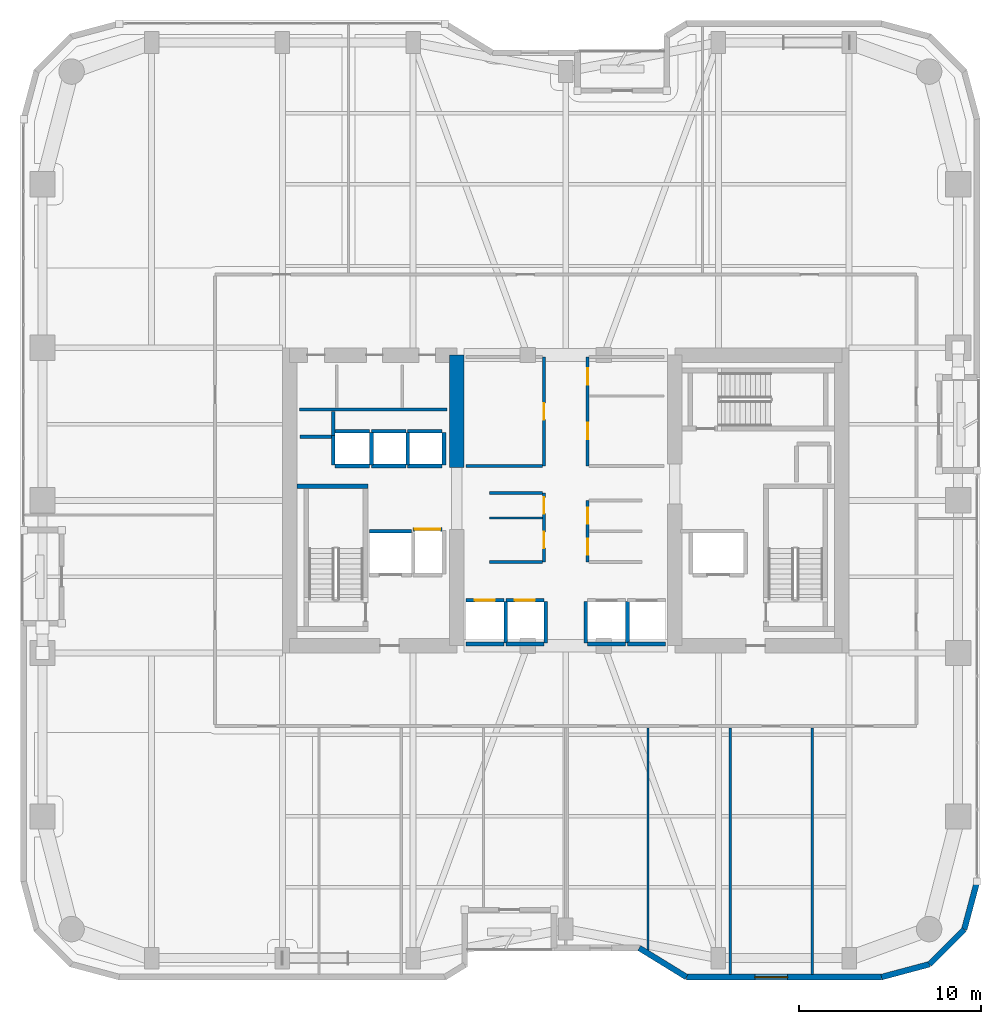
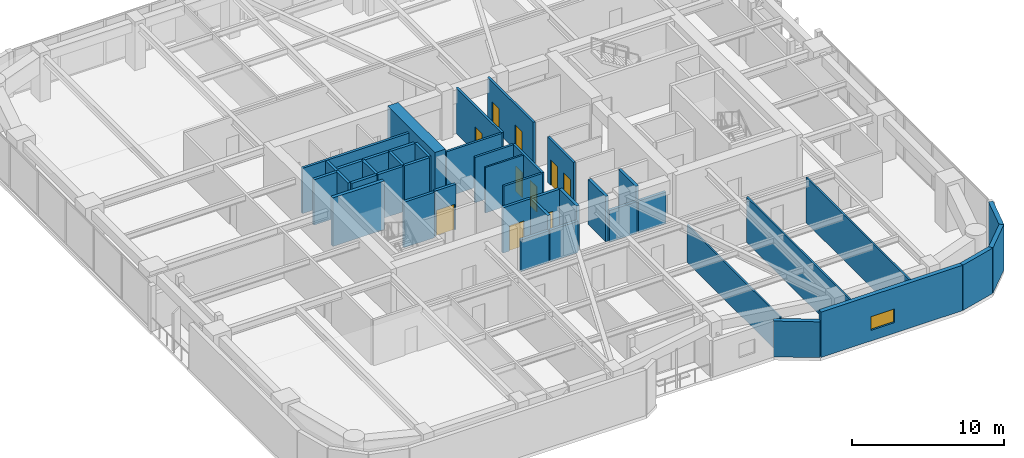
# One storey, part 19 of 24: 43 walls, 10 doors, 1 window, 11 openings.
"""IFC4 building model written with IfcOpenShell, lengths in metres."""

from ifc_helpers import new_model, si_unit, direction, frame, frame_2d, origin, place, context, subcontext, project, spatial, rectangle, extrude, material, layer, layer_set, type_object, element, fill, save


model = new_model("IFC4")

# Units and contexts
model_context = context("Model", 3, precision=1e-05, world=origin(), true_north=direction((0.0, 1.0)))
body_context = subcontext(model_context, "Body", "Model", "MODEL_VIEW")
ifc_project = project(units=[si_unit("LENGTHUNIT", "METRE"), si_unit("AREAUNIT", "SQUARE_METRE"), si_unit("VOLUMEUNIT", "CUBIC_METRE"), si_unit("PLANEANGLEUNIT", "RADIAN"), si_unit("MASSUNIT", "GRAM", prefix="KILO")], contexts=[model_context])

# Site, building, storey
site_placement = place(None, origin())
site = spatial("IfcSite", under=ifc_project, at=site_placement, CompositionType="ELEMENT")
building_placement = place(site_placement, origin())
building = spatial("IfcBuilding", under=site, at=building_placement, Name="Kiyonajd Concourse Tower", CompositionType="ELEMENT")
storey_placement = place(building_placement, frame((0.0, 0.0, 117.0)))
storey = spatial("IfcBuildingStorey", under=building, at=storey_placement, Name="L30", CompositionType="ELEMENT", Elevation=117.0)

# Walls
ifc_material_1 = material(Name="Concrete C70/85", Category="concrete")
ifc_layer_1 = layer(ifc_material_1, 0.800048828125)
ifc_layer_set_1 = layer_set([ifc_layer_1], Name="Concrete C70/85")
wall_type_1 = type_object("IfcWallType", Name="WL-CORE-800", PredefinedType="SHEAR", material=ifc_layer_set_1)
wall_1_placement = place(storey_placement, frame((42.0, 37.800048828125, 0.0), z_axis=(0.0, 0.0, 1.0), x_axis=(0.0, 1.0, 0.0)))
element("IfcWall", 1, at=wall_1_placement, inside=storey, type_object=wall_type_1, Name="L30 West Core Inner North Shear Wall", PredefinedType="SHEAR", context=body_context, shape_type="SweptSolid", body=[
    extrude(rectangle(XDim=6.199951171875, YDim=0.800048828125, at=frame_2d((3.10009765625, 0.0))), origin(), (0.0, 0.0, 1.0), 3.89990234375),
])
ifc_material_2 = material(Name="Precast concrete C50/60", Category="concrete")
ifc_layer_2 = layer(ifc_material_2, 0.320068359375)
ifc_layer_set_2 = layer_set([ifc_layer_2], Name="Precast concrete C50/60")
wall_type_2 = type_object("IfcWallType", Name="WL-EXT-320", PredefinedType="SOLIDWALL", material=ifc_layer_set_2)
wall_2_placement = place(storey_placement, frame((70.639892578125, 15.02099609375, 0.0), z_axis=(0.0, 0.0, 1.0), x_axis=(-0.258613949072, -0.965980758269, 0.0)))
element("IfcWall", 2, at=wall_2_placement, inside=storey, type_object=wall_type_2, Name="L30 Exterior Concrete Frame Wall 25", PredefinedType="SOLIDWALL", context=body_context, shape_type="SweptSolid", body=[
    extrude(rectangle(XDim=2.731201171875, YDim=0.320068359375, at=frame_2d((1.36572265625, 0.0))), origin(), (0.0, 0.0, 1.0), 3.639892578125),
])
wall_3_placement = place(storey_placement, frame((69.93359375, 12.3828125, 0.0), z_axis=(0.0, 0.0, 1.0), x_axis=(-0.707151821269, -0.707061738235, 0.0)))
element("IfcWall", 3, at=wall_3_placement, inside=storey, type_object=wall_type_2, Name="L30 Exterior Concrete Frame Wall 26", PredefinedType="SOLIDWALL", context=body_context, shape_type="SweptSolid", body=[
    extrude(rectangle(XDim=2.710205078125, YDim=0.320068359375, at=frame_2d((1.35498046875, 0.0))), origin(), (0.0, 0.0, 1.0), 3.639892578125),
])
wall_4_placement = place(storey_placement, frame((68.01708984375, 10.466552734375, 0.0), z_axis=(0.0, 0.0, 1.0), x_axis=(-0.965958423373, -0.25869736047, 0.0)))
element("IfcWall", 4, at=wall_4_placement, inside=storey, type_object=wall_type_2, Name="L30 Exterior Concrete Frame Wall 27", PredefinedType="SOLIDWALL", context=body_context, shape_type="SweptSolid", body=[
    extrude(rectangle(XDim=2.731201171875, YDim=0.320068359375, at=frame_2d((1.36572265625, 0.0))), origin(), (0.0, 0.0, 1.0), 3.639892578125),
])

# Wall, opening, window
wall_5_placement = place(storey_placement, frame((65.37890625, 9.760009765625, 0.0), z_axis=(0.0, 0.0, 1.0), x_axis=(-1.0, 0.0, 0.0)))
wall_5 = element("IfcWall", 5, at=wall_5_placement, inside=storey, type_object=wall_type_2, Name="L30 Exterior Concrete Frame Wall 28", PredefinedType="SOLIDWALL", context=body_context, shape_type="SweptSolid", body=[
    extrude(rectangle(XDim=10.733642578125, YDim=0.320068359375, at=frame_2d((5.36669921875, 0.0))), origin(), (0.0, 0.0, 1.0), 3.639892578125),
])
opening_1_placement = place(wall_5_placement, frame((5.1689453125, 0.0, 0.85009765625)))
opening_1 = element("IfcOpeningElement", 6, at=opening_1_placement, cuts=wall_5, Name="Opening WN1", PredefinedType="OPENING", context=body_context, shape_type="SweptSolid", body=[
    extrude(rectangle(XDim=1.800048828125, YDim=1.10009765625, at=frame_2d((0.89990234375, 0.550048828125))), frame((0.0, 0.169921875, 0.0), z_axis=(0.0, -1.0, 0.0), x_axis=(1.0, 0.0, 0.0)), (0.0, 0.0, 1.0), 0.340087890625),
])
ifc_material_3 = material(Name="Double Low-E Insulated Glass", Category="glass")
window_type = type_object("IfcWindowType", Name="WN-VIS-1800x1100", PartitioningType="SINGLE_PANEL", PredefinedType="WINDOW", material=ifc_material_3)
window_placement = place(opening_1_placement, origin())
window = element("IfcWindow", 7, at=window_placement, inside=storey, type_object=window_type, Name="L30 Modular Facade Vision Window 28", OverallHeight=1.10009765625, OverallWidth=1.800048828125, PartitioningType="SINGLE_PANEL", PredefinedType="WINDOW", context=body_context, shape_type="SweptSolid", body=[
    extrude(rectangle(XDim=1.800048828125, YDim=1.10009765625, at=frame_2d((0.89990234375, 0.550048828125))), frame((0.0, 0.030029296875, 0.0), z_axis=(0.0, -1.0, 0.0), x_axis=(1.0, 0.0, 0.0)), (0.0, 0.0, 1.0), 0.06005859375),
])
fill(opening_1, window)

# Walls
wall_6_placement = place(storey_placement, frame((54.645263671875, 9.760009765625, 0.0), z_axis=(0.0, 0.0, 1.0), x_axis=(-0.851630857047, 0.524142044989, 0.0)))
element("IfcWall", 8, at=wall_6_placement, inside=storey, type_object=wall_type_2, Name="L30 Exterior Concrete Frame Wall 29", PredefinedType="SOLIDWALL", context=body_context, shape_type="SweptSolid", body=[
    extrude(rectangle(XDim=3.052734375, YDim=0.320068359375, at=frame_2d((1.5263671875, 0.0))), origin(), (0.0, 0.0, 1.0), 2.875),
])
ifc_material_4 = material(Name="Gypsum Board on Cold-Formed Steel Stud", Category="steel")
ifc_layer_3 = layer(ifc_material_4, 0.125)
ifc_layer_set_3 = layer_set([ifc_layer_3], Name="Gypsum Board on Cold-Formed Steel Stud")
wall_type_3 = type_object("IfcWallType", Name="WL-PART-125", PredefinedType="PARTITIONING", material=ifc_layer_set_3)
wall_7_placement = place(storey_placement, frame((43.800048828125, 35.031982421875, 0.0), z_axis=(0.0, 0.0, 1.0), x_axis=(1.0, 0.0, 0.0)))
element("IfcWall", 9, at=wall_7_placement, inside=storey, type_object=wall_type_3, Name="L30 Interior Partition Wall", PredefinedType="PARTITIONING", context=body_context, shape_type="SweptSolid", body=[
    extrude(rectangle(XDim=2.912841796875, YDim=0.125, at=frame_2d((1.45654296875, 0.0))), origin(), (0.0, 0.0, 1.0), 3.639892578125),
])
wall_8_placement = place(storey_placement, frame((52.52001953125, 11.222900390625, 0.0), z_axis=(0.0, 0.0, 1.0), x_axis=(0.0, 1.0, 0.0)))
element("IfcWall", 10, at=wall_8_placement, inside=storey, type_object=wall_type_3, Name="L30 Interior Partition Wall", PredefinedType="PARTITIONING", context=body_context, shape_type="SweptSolid", body=[
    extrude(rectangle(XDim=12.260009765625, YDim=0.125, at=frame_2d((6.1298828125, 0.0))), origin(), (0.0, 0.0, 1.0), 3.0029296875),
])
for number, where, z_axis, x_axis, name in (
    (11, (57.050048828125, 9.9150390625, 0.0), (0.0, 0.0, 1.0), (0.0, 1.0, 0.0), "L30 Interior Partition Wall"),
    (12, (61.570068359375, 9.9150390625, 0.0), (0.0, 0.0, 1.0), (0.0, 1.0, 0.0), "L30 Interior Partition Wall"),
):
    element("IfcWall", number, at=place(storey_placement, frame(where, z_axis=z_axis, x_axis=x_axis)), inside=storey, type_object=wall_type_3, Name=name, PredefinedType="PARTITIONING", context=body_context, shape_type="SweptSolid", body=[
        extrude(rectangle(XDim=13.56787109375, YDim=0.125, at=frame_2d((6.783935546875, 0.0))), origin(), (0.0, 0.0, 1.0), 3.639892578125),
    ])
ifc_layer_4 = layer(ifc_material_4, 0.18994140625)
ifc_layer_set_4 = layer_set([ifc_layer_4], Name="Gypsum Board on Cold-Formed Steel Stud")
wall_type_4 = type_object("IfcWallType", Name="WL-PLMB-190", PredefinedType="PLUMBINGWALL", material=ifc_layer_set_4)
wall_9_placement = place(storey_placement, frame((33.35009765625, 41.0, 0.0), z_axis=(0.0, 0.0, 1.0), x_axis=(1.0, 0.0, 0.0)))
element("IfcWall", 13, at=wall_9_placement, inside=storey, type_object=wall_type_4, Name="L30 Interior Partition Wall", PredefinedType="PLUMBINGWALL", context=body_context, shape_type="SweptSolid", body=[
    extrude(rectangle(XDim=8.099853515625, YDim=0.18994140625, at=frame_2d((4.0498046875, 0.0))), origin(), (0.0, 0.0, 1.0), 3.639892578125),
])
ifc_layer_5 = layer(ifc_material_4, 0.2099609375)
ifc_layer_set_5 = layer_set([ifc_layer_5], Name="Gypsum Board on Cold-Formed Steel Stud")
wall_type_5 = type_object("IfcWallType", Name="WL-SHAFT-210", PredefinedType="PARTITIONING", material=ifc_layer_set_5)
wall_10_placement = place(storey_placement, frame((33.360107421875, 39.5, 0.0), z_axis=(0.0, 0.0, 1.0), x_axis=(1.0, 0.0, 0.0)))
element("IfcWall", 14, at=wall_10_placement, inside=storey, type_object=wall_type_5, Name="L30 Shaft Enclosure Wall", PredefinedType="PARTITIONING", context=body_context, shape_type="SweptSolid", body=[
    extrude(rectangle(XDim=1.85986328125, YDim=0.2099609375, at=frame_2d((0.929931640625, 0.0))), origin(), (0.0, 0.0, 1.0), 3.639892578125),
])
wall_11_placement = place(storey_placement, frame((35.199951171875, 39.580078125, 0.0), z_axis=(0.0, 0.0, 1.0), x_axis=(0.0, 1.0, 0.0)))
element("IfcWall", 15, at=wall_11_placement, inside=storey, type_object=wall_type_5, Name="L30 Shaft Enclosure Wall", PredefinedType="PARTITIONING", context=body_context, shape_type="SweptSolid", body=[
    extrude(rectangle(XDim=1.31982421875, YDim=0.2099609375, at=frame_2d((0.659912109375, 0.0))), origin(), (0.0, 0.0, 1.0), 3.639892578125),
])
wall_12_placement = place(storey_placement, frame((37.199951171875, 34.300048828125, 0.0), z_axis=(0.0, 0.0, 1.0), x_axis=(1.0, 0.0, 0.0)))
element("IfcWall", 16, at=wall_12_placement, inside=storey, type_object=wall_type_5, Name="L30 Shaft Enclosure Wall", PredefinedType="PARTITIONING", context=body_context, shape_type="SweptSolid", body=[
    extrude(rectangle(XDim=2.300048828125, YDim=0.2099609375, at=frame_2d((1.14990234375, 0.0))), origin(), (0.0, 0.0, 1.0), 3.639892578125),
])

# Wall, opening, door
wall_13_placement = place(storey_placement, frame((39.60009765625, 34.39990234375, 0.0), z_axis=(0.0, 0.0, 1.0), x_axis=(1.0, 0.0, 0.0)))
wall_13 = element("IfcWall", 17, at=wall_13_placement, inside=storey, type_object=wall_type_5, Name="L30 Shaft Enclosure Wall", PredefinedType="PARTITIONING", context=body_context, shape_type="SweptSolid", body=[
    extrude(rectangle(XDim=1.599853515625, YDim=0.2099609375, at=frame_2d((0.7998046875, 0.0))), origin(), (0.0, 0.0, 1.0), 3.639892578125),
])
opening_2_placement = place(wall_13_placement, frame((0.10009765625, 0.0, 0.0)))
opening_2 = element("IfcOpeningElement", 18, at=opening_2_placement, cuts=wall_13, Name="Opening LD3", PredefinedType="OPENING", context=body_context, shape_type="SweptSolid", body=[
    extrude(rectangle(XDim=1.39990234375, YDim=2.06005859375, at=frame_2d((0.699951171875, 1.030029296875))), frame((0.0, 0.114990234375, 0.0), z_axis=(0.0, -1.0, 0.0), x_axis=(1.0, 0.0, 0.0)), (0.0, 0.0, 1.0), 0.22998046875),
])
ifc_material_5 = material(Name="Brushed Stainless Steel Cab Assembly", Category="steel")
door_type_1 = type_object("IfcDoorType", Name="DR-LD-1400", OperationType="DOUBLE_DOOR_SLIDING", PredefinedType="DOOR", material=ifc_material_5)
door_1_placement = place(opening_2_placement, origin())
door_1 = element("IfcDoor", 19, at=door_1_placement, inside=storey, type_object=door_type_1, Name="L30 Lift SVL1 Sliding Landing Door", OperationType="DOUBLE_DOOR_SLIDING", OverallHeight=2.06005859375, OverallWidth=1.39990234375, PredefinedType="DOOR", context=body_context, shape_type="SweptSolid", body=[
    extrude(rectangle(XDim=1.39990234375, YDim=2.06005859375, at=frame_2d((0.699951171875, 1.030029296875))), frame((0.0, 0.02490234375, 0.0), z_axis=(0.0, -1.0, 0.0), x_axis=(1.0, 0.0, 0.0)), (0.0, 0.0, 1.0), 0.050048828125),
])
fill(opening_2, door_1)

wall_14_placement = place(storey_placement, frame((42.5, 30.5, 0.0), z_axis=(0.0, 0.0, 1.0), x_axis=(1.0, 0.0, 0.0)))
wall_14 = element("IfcWall", 20, at=wall_14_placement, inside=storey, type_object=wall_type_5, Name="L30 Shaft Enclosure Wall", PredefinedType="PARTITIONING", context=body_context, shape_type="SweptSolid", body=[
    extrude(rectangle(XDim=2.10009765625, YDim=0.2099609375, at=frame_2d((1.050048828125, 0.0))), origin(), (0.0, 0.0, 1.0), 3.639892578125),
])
opening_3_placement = place(wall_14_placement, frame((0.5, 0.0, 0.0)))
opening_3 = element("IfcOpeningElement", 21, at=opening_3_placement, cuts=wall_14, Name="Opening LD1", PredefinedType="OPENING", context=body_context, shape_type="SweptSolid", body=[
    extrude(rectangle(XDim=1.10009765625, YDim=2.0400390625, at=frame_2d((0.550048828125, 1.02001953125))), frame((0.0, 0.114990234375, 0.0), z_axis=(0.0, -1.0, 0.0), x_axis=(1.0, 0.0, 0.0)), (0.0, 0.0, 1.0), 0.22998046875),
])
door_type_2 = type_object("IfcDoorType", Name="DR-LD-1100", OperationType="DOUBLE_DOOR_SLIDING", PredefinedType="DOOR", material=ifc_material_5)
door_2_placement = place(opening_3_placement, origin())
door_2 = element("IfcDoor", 22, at=door_2_placement, inside=storey, type_object=door_type_2, Name="L30 Lift PL-L1 Sliding Landing Door", OperationType="DOUBLE_DOOR_SLIDING", OverallHeight=2.0400390625, OverallWidth=1.10009765625, PredefinedType="DOOR", context=body_context, shape_type="SweptSolid", body=[
    extrude(rectangle(XDim=1.10009765625, YDim=2.0400390625, at=frame_2d((0.550048828125, 1.02001953125))), frame((0.0, 0.02490234375, 0.0), z_axis=(0.0, -1.0, 0.0), x_axis=(1.0, 0.0, 0.0)), (0.0, 0.0, 1.0), 0.050048828125),
])
fill(opening_3, door_2)

# Walls
wall_15_placement = place(storey_placement, frame((42.5, 28.10009765625, 0.0), z_axis=(0.0, 0.0, 1.0), x_axis=(1.0, 0.0, 0.0)))
element("IfcWall", 23, at=wall_15_placement, inside=storey, type_object=wall_type_5, Name="L30 Shaft Enclosure Wall", PredefinedType="PARTITIONING", context=body_context, shape_type="SweptSolid", body=[
    extrude(rectangle(XDim=2.10009765625, YDim=0.2099609375, at=frame_2d((1.050048828125, 0.0))), origin(), (0.0, 0.0, 1.0), 2.52490234375),
])
wall_16_placement = place(storey_placement, frame((44.699951171875, 28.159912109375, 0.0), z_axis=(0.0, 0.0, 1.0), x_axis=(0.0, 1.0, 0.0)))
element("IfcWall", 24, at=wall_16_placement, inside=storey, type_object=wall_type_5, Name="L30 Shaft Enclosure Wall", PredefinedType="PARTITIONING", context=body_context, shape_type="SweptSolid", body=[
    extrude(rectangle(XDim=2.280029296875, YDim=0.2099609375, at=frame_2d((1.14013671875, 0.0))), origin(), (0.0, 0.0, 1.0), 3.639892578125),
])

# Wall, opening, door
wall_17_placement = place(storey_placement, frame((44.699951171875, 30.5, 0.0), z_axis=(0.0, 0.0, 1.0), x_axis=(1.0, 0.0, 0.0)))
wall_17 = element("IfcWall", 25, at=wall_17_placement, inside=storey, type_object=wall_type_5, Name="L30 Shaft Enclosure Wall", PredefinedType="PARTITIONING", context=body_context, shape_type="SweptSolid", body=[
    extrude(rectangle(XDim=2.10009765625, YDim=0.2099609375, at=frame_2d((1.050048828125, 0.0))), origin(), (0.0, 0.0, 1.0), 3.639892578125),
])
opening_4_placement = place(wall_17_placement, frame((0.5, 0.0, 0.0)))
opening_4 = element("IfcOpeningElement", 26, at=opening_4_placement, cuts=wall_17, Name="Opening LD1", PredefinedType="OPENING", context=body_context, shape_type="SweptSolid", body=[
    extrude(rectangle(XDim=1.10009765625, YDim=2.0400390625, at=frame_2d((0.550048828125, 1.02001953125))), frame((0.0, 0.114990234375, 0.0), z_axis=(0.0, -1.0, 0.0), x_axis=(1.0, 0.0, 0.0)), (0.0, 0.0, 1.0), 0.22998046875),
])
door_3_placement = place(opening_4_placement, origin())
door_3 = element("IfcDoor", 27, at=door_3_placement, inside=storey, type_object=door_type_2, Name="L30 Lift PL-L2 Sliding Landing Door", OperationType="DOUBLE_DOOR_SLIDING", OverallHeight=2.0400390625, OverallWidth=1.10009765625, PredefinedType="DOOR", context=body_context, shape_type="SweptSolid", body=[
    extrude(rectangle(XDim=1.10009765625, YDim=2.0400390625, at=frame_2d((0.550048828125, 1.02001953125))), frame((0.0, 0.02490234375, 0.0), z_axis=(0.0, -1.0, 0.0), x_axis=(1.0, 0.0, 0.0)), (0.0, 0.0, 1.0), 0.050048828125),
])
fill(opening_4, door_3)

# Walls
wall_18_placement = place(storey_placement, frame((44.699951171875, 28.10009765625, 0.0), z_axis=(0.0, 0.0, 1.0), x_axis=(1.0, 0.0, 0.0)))
element("IfcWall", 28, at=wall_18_placement, inside=storey, type_object=wall_type_5, Name="L30 Shaft Enclosure Wall", PredefinedType="PARTITIONING", context=body_context, shape_type="SweptSolid", body=[
    extrude(rectangle(XDim=2.10009765625, YDim=0.2099609375, at=frame_2d((1.050048828125, 0.0))), origin(), (0.0, 0.0, 1.0), 2.52490234375),
])
wall_19_placement = place(storey_placement, frame((46.89990234375, 28.159912109375, 0.0), z_axis=(0.0, 0.0, 1.0), x_axis=(0.0, 1.0, 0.0)))
element("IfcWall", 29, at=wall_19_placement, inside=storey, type_object=wall_type_5, Name="L30 Shaft Enclosure Wall", PredefinedType="PARTITIONING", context=body_context, shape_type="SweptSolid", body=[
    extrude(rectangle(XDim=2.280029296875, YDim=0.2099609375, at=frame_2d((1.14013671875, 0.0))), origin(), (0.0, 0.0, 1.0), 3.639892578125),
])
wall_20_placement = place(storey_placement, frame((49.199951171875, 28.10009765625, 0.0), z_axis=(0.0, 0.0, 1.0), x_axis=(1.0, 0.0, 0.0)))
element("IfcWall", 30, at=wall_20_placement, inside=storey, type_object=wall_type_5, Name="L30 Shaft Enclosure Wall", PredefinedType="PARTITIONING", context=body_context, shape_type="SweptSolid", body=[
    extrude(rectangle(XDim=2.10009765625, YDim=0.2099609375, at=frame_2d((1.050048828125, 0.0))), origin(), (0.0, 0.0, 1.0), 2.52490234375),
])
for number, where, z_axis, x_axis, name in (
    (31, (49.10009765625, 28.159912109375, 0.0), (0.0, 0.0, 1.0), (0.0, 1.0, 0.0), "L30 Shaft Enclosure Wall"),
    (32, (51.39990234375, 28.159912109375, 0.0), (0.0, 0.0, 1.0), (0.0, 1.0, 0.0), "L30 Shaft Enclosure Wall"),
):
    element("IfcWall", number, at=place(storey_placement, frame(where, z_axis=z_axis, x_axis=x_axis)), inside=storey, type_object=wall_type_5, Name=name, PredefinedType="PARTITIONING", context=body_context, shape_type="SweptSolid", body=[
        extrude(rectangle(XDim=2.280029296875, YDim=0.2099609375, at=frame_2d((1.14013671875, 0.0))), origin(), (0.0, 0.0, 1.0), 3.639892578125),
    ])
wall_21_placement = place(storey_placement, frame((51.39990234375, 28.10009765625, 0.0), z_axis=(0.0, 0.0, 1.0), x_axis=(1.0, 0.0, 0.0)))
element("IfcWall", 33, at=wall_21_placement, inside=storey, type_object=wall_type_5, Name="L30 Shaft Enclosure Wall", PredefinedType="PARTITIONING", context=body_context, shape_type="SweptSolid", body=[
    extrude(rectangle(XDim=2.10009765625, YDim=0.2099609375, at=frame_2d((1.050048828125, 0.0))), origin(), (0.0, 0.0, 1.0), 2.52490234375),
])
for number, where, z_axis, x_axis, name in (
    (34, (35.300048828125, 37.89990234375, 0.0), (0.0, 0.0, 1.0), (1.0, 0.0, 0.0), "L30 Shaft Enclosure Wall"),
    (35, (35.300048828125, 39.800048828125, 0.0), (0.0, 0.0, 1.0), (1.0, 0.0, 0.0), "L30 Shaft Enclosure Wall"),
):
    element("IfcWall", number, at=place(storey_placement, frame(where, z_axis=z_axis, x_axis=x_axis)), inside=storey, type_object=wall_type_5, Name=name, PredefinedType="PARTITIONING", context=body_context, shape_type="SweptSolid", body=[
        extrude(rectangle(XDim=1.89990234375, YDim=0.2099609375, at=frame_2d((0.949951171875, 0.0))), origin(), (0.0, 0.0, 1.0), 3.639892578125),
    ])
wall_22_placement = place(storey_placement, frame((35.199951171875, 37.9599609375, 0.0), z_axis=(0.0, 0.0, 1.0), x_axis=(0.0, 1.0, 0.0)))
element("IfcWall", 36, at=wall_22_placement, inside=storey, type_object=wall_type_5, Name="L30 Shaft Enclosure Wall", PredefinedType="PARTITIONING", context=body_context, shape_type="SweptSolid", body=[
    extrude(rectangle(XDim=1.6201171875, YDim=0.2099609375, at=frame_2d((0.81005859375, 0.0))), origin(), (0.0, 0.0, 1.0), 3.639892578125),
])
wall_23_placement = place(storey_placement, frame((37.300048828125, 37.9599609375, 0.0), z_axis=(0.0, 0.0, 1.0), x_axis=(0.0, 1.0, 0.0)))
element("IfcWall", 37, at=wall_23_placement, inside=storey, type_object=wall_type_5, Name="L30 Shaft Enclosure Wall", PredefinedType="PARTITIONING", context=body_context, shape_type="SweptSolid", body=[
    extrude(rectangle(XDim=1.780029296875, YDim=0.2099609375, at=frame_2d((0.89013671875, 0.0))), origin(), (0.0, 0.0, 1.0), 3.639892578125),
])
for number, where, z_axis, x_axis, name in (
    (38, (37.300048828125, 37.89990234375, 0.0), (0.0, 0.0, 1.0), (1.0, 0.0, 0.0), "L30 Shaft Enclosure Wall"),
    (39, (37.300048828125, 39.800048828125, 0.0), (0.0, 0.0, 1.0), (1.0, 0.0, 0.0), "L30 Shaft Enclosure Wall"),
):
    element("IfcWall", number, at=place(storey_placement, frame(where, z_axis=z_axis, x_axis=x_axis)), inside=storey, type_object=wall_type_5, Name=name, PredefinedType="PARTITIONING", context=body_context, shape_type="SweptSolid", body=[
        extrude(rectangle(XDim=1.89990234375, YDim=0.2099609375, at=frame_2d((0.949951171875, 0.0))), origin(), (0.0, 0.0, 1.0), 3.639892578125),
    ])
wall_24_placement = place(storey_placement, frame((39.300048828125, 37.9599609375, 0.0), z_axis=(0.0, 0.0, 1.0), x_axis=(0.0, 1.0, 0.0)))
element("IfcWall", 40, at=wall_24_placement, inside=storey, type_object=wall_type_5, Name="L30 Shaft Enclosure Wall", PredefinedType="PARTITIONING", context=body_context, shape_type="SweptSolid", body=[
    extrude(rectangle(XDim=1.780029296875, YDim=0.2099609375, at=frame_2d((0.89013671875, 0.0))), origin(), (0.0, 0.0, 1.0), 3.639892578125),
])
for number, where, z_axis, x_axis, name in (
    (41, (39.300048828125, 37.89990234375, 0.0), (0.0, 0.0, 1.0), (1.0, 0.0, 0.0), "L30 Shaft Enclosure Wall"),
    (42, (39.300048828125, 39.800048828125, 0.0), (0.0, 0.0, 1.0), (1.0, 0.0, 0.0), "L30 Shaft Enclosure Wall"),
):
    element("IfcWall", number, at=place(storey_placement, frame(where, z_axis=z_axis, x_axis=x_axis)), inside=storey, type_object=wall_type_5, Name=name, PredefinedType="PARTITIONING", context=body_context, shape_type="SweptSolid", body=[
        extrude(rectangle(XDim=1.89990234375, YDim=0.2099609375, at=frame_2d((0.949951171875, 0.0))), origin(), (0.0, 0.0, 1.0), 3.639892578125),
    ])
wall_25_placement = place(storey_placement, frame((41.300048828125, 37.9599609375, 0.0), z_axis=(0.0, 0.0, 1.0), x_axis=(0.0, 1.0, 0.0)))
element("IfcWall", 43, at=wall_25_placement, inside=storey, type_object=wall_type_5, Name="L30 Shaft Enclosure Wall", PredefinedType="PARTITIONING", context=body_context, shape_type="SweptSolid", body=[
    extrude(rectangle(XDim=1.780029296875, YDim=0.2099609375, at=frame_2d((0.89013671875, 0.0))), origin(), (0.0, 0.0, 1.0), 3.639892578125),
])

# Wall, openings, doors
ifc_layer_6 = layer(ifc_material_4, 0.169921875)
ifc_layer_set_6 = layer_set([ifc_layer_6], Name="Gypsum Board on Cold-Formed Steel Stud")
wall_type_6 = type_object("IfcWallType", Name="WL-SMK-170", PredefinedType="PARTITIONING", material=ifc_layer_set_6)
wall_26_placement = place(storey_placement, frame((46.800048828125, 32.60009765625, 0.0), z_axis=(0.0, 0.0, 1.0), x_axis=(0.0, 1.0, 0.0)))
wall_26 = element("IfcWall", 44, at=wall_26_placement, inside=storey, type_object=wall_type_6, Name="L30 Interior Partition Wall", PredefinedType="PARTITIONING", context=body_context, shape_type="SweptSolid", body=[
    extrude(rectangle(XDim=3.7998046875, YDim=0.169921875, at=frame_2d((1.89990234375, 0.0))), origin(), (0.0, 0.0, 1.0), 3.639892578125),
])
opening_5_placement = place(wall_26_placement, frame((0.76611328125, 0.0, 0.0)))
opening_5 = element("IfcOpeningElement", 45, at=opening_5_placement, cuts=wall_26, Name="Opening DF4", PredefinedType="OPENING", context=body_context, shape_type="SweptSolid", body=[
    extrude(rectangle(XDim=0.89990234375, YDim=2.02001953125, at=frame_2d((0.449951171875, 1.010009765625))), frame((0.0, 0.094970703125, 0.0), z_axis=(0.0, -1.0, 0.0), x_axis=(1.0, 0.0, 0.0)), (0.0, 0.0, 1.0), 0.18994140625),
])
opening_6_placement = place(wall_26_placement, frame((2.666015625, 0.0, 0.0)))
opening_6 = element("IfcOpeningElement", 46, at=opening_6_placement, cuts=wall_26, Name="Opening DF4", PredefinedType="OPENING", context=body_context, shape_type="SweptSolid", body=[
    extrude(rectangle(XDim=0.89990234375, YDim=2.02001953125, at=frame_2d((0.449951171875, 1.010009765625))), frame((0.0, 0.094970703125, 0.0), z_axis=(0.0, -1.0, 0.0), x_axis=(1.0, 0.0, 0.0)), (0.0, 0.0, 1.0), 0.18994140625),
])
door_type_3 = type_object("IfcDoorType", Name="DR-FD60-900", OperationType="NOTDEFINED", PredefinedType="DOOR", material=ifc_material_5)
door_4_placement = place(opening_5_placement, origin())
door_4 = element("IfcDoor", 47, at=door_4_placement, inside=storey, type_object=door_type_3, Name="L30 Interior Door", OperationType="SINGLE_SWING_LEFT", OverallHeight=2.02001953125, OverallWidth=0.89990234375, PredefinedType="DOOR", context=body_context, shape_type="SweptSolid", body=[
    extrude(rectangle(XDim=0.89990234375, YDim=2.02001953125, at=frame_2d((0.449951171875, 1.010009765625))), frame((0.0, 0.02490234375, 0.0), z_axis=(0.0, -1.0, 0.0), x_axis=(1.0, 0.0, 0.0)), (0.0, 0.0, 1.0), 0.050048828125),
])
fill(opening_5, door_4)
door_5_placement = place(opening_6_placement, origin())
door_5 = element("IfcDoor", 48, at=door_5_placement, inside=storey, type_object=door_type_3, Name="L30 Interior Door", OperationType="SINGLE_SWING_RIGHT", OverallHeight=2.02001953125, OverallWidth=0.89990234375, PredefinedType="DOOR", context=body_context, shape_type="SweptSolid", body=[
    extrude(rectangle(XDim=0.89990234375, YDim=2.02001953125, at=frame_2d((0.449951171875, 1.010009765625))), frame((0.0, 0.02490234375, 0.0), z_axis=(0.0, -1.0, 0.0), x_axis=(1.0, 0.0, 0.0)), (0.0, 0.0, 1.0), 0.050048828125),
])
fill(opening_6, door_5)

# Walls
for number, where, z_axis, x_axis, name in (
    (49, (43.800048828125, 32.60009765625, 0.0), (0.0, 0.0, 1.0), (1.0, 0.0, 0.0), "L30 Interior Partition Wall"),
    (50, (43.800048828125, 36.39990234375, 0.0), (0.0, 0.0, 1.0), (1.0, 0.0, 0.0), "L30 Interior Partition Wall"),
):
    element("IfcWall", number, at=place(storey_placement, frame(where, z_axis=z_axis, x_axis=x_axis)), inside=storey, type_object=wall_type_6, Name=name, PredefinedType="PARTITIONING", context=body_context, shape_type="SweptSolid", body=[
        extrude(rectangle(XDim=2.912841796875, YDim=0.169921875, at=frame_2d((1.45654296875, 0.0))), origin(), (0.0, 0.0, 1.0), 3.639892578125),
    ])

# Wall, openings, doors
wall_27_placement = place(storey_placement, frame((49.199951171875, 32.60009765625, 0.0), z_axis=(0.0, 0.0, 1.0), x_axis=(0.0, 1.0, 0.0)))
wall_27 = element("IfcWall", 51, at=wall_27_placement, inside=storey, type_object=wall_type_6, Name="L30 Interior Partition Wall", PredefinedType="PARTITIONING", context=body_context, shape_type="SweptSolid", body=[
    extrude(rectangle(XDim=3.39990234375, YDim=0.169921875, at=frame_2d((1.699951171875, 0.0))), origin(), (0.0, 0.0, 1.0), 3.639892578125),
])
opening_7_placement = place(wall_27_placement, frame((0.39990234375, 0.0, 0.0)))
opening_7 = element("IfcOpeningElement", 52, at=opening_7_placement, cuts=wall_27, Name="Opening DI2", PredefinedType="OPENING", context=body_context, shape_type="SweptSolid", body=[
    extrude(rectangle(XDim=0.89990234375, YDim=2.02001953125, at=frame_2d((0.449951171875, 1.010009765625))), frame((0.0, 0.094970703125, 0.0), z_axis=(0.0, -1.0, 0.0), x_axis=(1.0, 0.0, 0.0)), (0.0, 0.0, 1.0), 0.18994140625),
])
opening_8_placement = place(wall_27_placement, frame((2.10009765625, 0.0, 0.0)))
opening_8 = element("IfcOpeningElement", 53, at=opening_8_placement, cuts=wall_27, Name="Opening DI2", PredefinedType="OPENING", context=body_context, shape_type="SweptSolid", body=[
    extrude(rectangle(XDim=0.89990234375, YDim=2.02001953125, at=frame_2d((0.449951171875, 1.010009765625))), frame((0.0, 0.094970703125, 0.0), z_axis=(0.0, -1.0, 0.0), x_axis=(1.0, 0.0, 0.0)), (0.0, 0.0, 1.0), 0.18994140625),
])
ifc_material_6 = material(Name="Natural Oak Acoustic Timber Veneer", Category="wood")
door_type_4 = type_object("IfcDoorType", Name="DR-INT-900", OperationType="NOTDEFINED", PredefinedType="DOOR", material=ifc_material_6)
door_6_placement = place(opening_7_placement, origin())
door_6 = element("IfcDoor", 54, at=door_6_placement, inside=storey, type_object=door_type_4, Name="L30 Interior Door", OperationType="SINGLE_SWING_LEFT", OverallHeight=2.02001953125, OverallWidth=0.89990234375, PredefinedType="DOOR", context=body_context, shape_type="SweptSolid", body=[
    extrude(rectangle(XDim=0.89990234375, YDim=2.02001953125, at=frame_2d((0.449951171875, 1.010009765625))), frame((0.0, 0.02490234375, 0.0), z_axis=(0.0, -1.0, 0.0), x_axis=(1.0, 0.0, 0.0)), (0.0, 0.0, 1.0), 0.050048828125),
])
fill(opening_7, door_6)
door_7_placement = place(opening_8_placement, origin())
door_7 = element("IfcDoor", 55, at=door_7_placement, inside=storey, type_object=door_type_4, Name="L30 Interior Door", OperationType="SINGLE_SWING_RIGHT", OverallHeight=2.02001953125, OverallWidth=0.89990234375, PredefinedType="DOOR", context=body_context, shape_type="SweptSolid", body=[
    extrude(rectangle(XDim=0.89990234375, YDim=2.02001953125, at=frame_2d((0.449951171875, 1.010009765625))), frame((0.0, 0.02490234375, 0.0), z_axis=(0.0, -1.0, 0.0), x_axis=(1.0, 0.0, 0.0)), (0.0, 0.0, 1.0), 0.050048828125),
])
fill(opening_8, door_7)

# Wall, opening, door
wall_28_placement = place(storey_placement, frame((46.800048828125, 37.89990234375, 0.0), z_axis=(0.0, 0.0, 1.0), x_axis=(0.0, 1.0, 0.0)))
wall_28 = element("IfcWall", 56, at=wall_28_placement, inside=storey, type_object=wall_type_6, Name="L30 Interior Partition Wall", PredefinedType="PARTITIONING", context=body_context, shape_type="SweptSolid", body=[
    extrude(rectangle(XDim=6.0, YDim=0.169921875, at=frame_2d((3.0, 0.0))), origin(), (0.0, 0.0, 1.0), 3.639892578125),
])
opening_9_placement = place(wall_28_placement, frame((2.550048828125, 0.0, 0.0)))
opening_9 = element("IfcOpeningElement", 57, at=opening_9_placement, cuts=wall_28, Name="Opening DI2", PredefinedType="OPENING", context=body_context, shape_type="SweptSolid", body=[
    extrude(rectangle(XDim=0.89990234375, YDim=2.02001953125, at=frame_2d((0.449951171875, 1.010009765625))), frame((0.0, 0.094970703125, 0.0), z_axis=(0.0, -1.0, 0.0), x_axis=(1.0, 0.0, 0.0)), (0.0, 0.0, 1.0), 0.18994140625),
])
door_8_placement = place(opening_9_placement, origin())
door_8 = element("IfcDoor", 58, at=door_8_placement, inside=storey, type_object=door_type_4, Name="L30 Interior Door", OperationType="SINGLE_SWING_LEFT", OverallHeight=2.02001953125, OverallWidth=0.89990234375, PredefinedType="DOOR", context=body_context, shape_type="SweptSolid", body=[
    extrude(rectangle(XDim=0.89990234375, YDim=2.02001953125, at=frame_2d((0.449951171875, 1.010009765625))), frame((0.0, 0.02490234375, 0.0), z_axis=(0.0, -1.0, 0.0), x_axis=(1.0, 0.0, 0.0)), (0.0, 0.0, 1.0), 0.050048828125),
])
fill(opening_9, door_8)

# Wall
wall_29_placement = place(storey_placement, frame((42.5, 37.89990234375, 0.0), z_axis=(0.0, 0.0, 1.0), x_axis=(1.0, 0.0, 0.0)))
element("IfcWall", 59, at=wall_29_placement, inside=storey, type_object=wall_type_6, Name="L30 Interior Partition Wall", PredefinedType="PARTITIONING", context=body_context, shape_type="SweptSolid", body=[
    extrude(rectangle(XDim=4.212890625, YDim=0.169921875, at=frame_2d((2.1064453125, 0.0))), origin(), (0.0, 0.0, 1.0), 3.639892578125),
])

# Wall, openings, doors
wall_30_placement = place(storey_placement, frame((49.199951171875, 37.89990234375, 0.0), z_axis=(0.0, 0.0, 1.0), x_axis=(0.0, 1.0, 0.0)))
wall_30 = element("IfcWall", 60, at=wall_30_placement, inside=storey, type_object=wall_type_6, Name="L30 Interior Partition Wall", PredefinedType="PARTITIONING", context=body_context, shape_type="SweptSolid", body=[
    extrude(rectangle(XDim=6.0, YDim=0.169921875, at=frame_2d((3.0, 0.0))), origin(), (0.0, 0.0, 1.0), 3.639892578125),
])
opening_10_placement = place(wall_30_placement, frame((1.469970703125, 0.0, 0.0)))
opening_10 = element("IfcOpeningElement", 61, at=opening_10_placement, cuts=wall_30, Name="Opening DF4", PredefinedType="OPENING", context=body_context, shape_type="SweptSolid", body=[
    extrude(rectangle(XDim=0.89990234375, YDim=2.02001953125, at=frame_2d((0.449951171875, 1.010009765625))), frame((0.0, 0.094970703125, 0.0), z_axis=(0.0, -1.0, 0.0), x_axis=(1.0, 0.0, 0.0)), (0.0, 0.0, 1.0), 0.18994140625),
])
opening_11_placement = place(wall_30_placement, frame((4.469970703125, 0.0, 0.0)))
opening_11 = element("IfcOpeningElement", 62, at=opening_11_placement, cuts=wall_30, Name="Opening DF4", PredefinedType="OPENING", context=body_context, shape_type="SweptSolid", body=[
    extrude(rectangle(XDim=0.89990234375, YDim=2.02001953125, at=frame_2d((0.449951171875, 1.010009765625))), frame((0.0, 0.094970703125, 0.0), z_axis=(0.0, -1.0, 0.0), x_axis=(1.0, 0.0, 0.0)), (0.0, 0.0, 1.0), 0.18994140625),
])
door_9_placement = place(opening_10_placement, origin())
door_9 = element("IfcDoor", 63, at=door_9_placement, inside=storey, type_object=door_type_3, Name="L30 Interior Door", OperationType="SINGLE_SWING_RIGHT", OverallHeight=2.02001953125, OverallWidth=0.89990234375, PredefinedType="DOOR", context=body_context, shape_type="SweptSolid", body=[
    extrude(rectangle(XDim=0.89990234375, YDim=2.02001953125, at=frame_2d((0.449951171875, 1.010009765625))), frame((0.0, 0.02490234375, 0.0), z_axis=(0.0, -1.0, 0.0), x_axis=(1.0, 0.0, 0.0)), (0.0, 0.0, 1.0), 0.050048828125),
])
fill(opening_10, door_9)
door_10_placement = place(opening_11_placement, origin())
door_10 = element("IfcDoor", 64, at=door_10_placement, inside=storey, type_object=door_type_3, Name="L30 Interior Door", OperationType="SINGLE_SWING_LEFT", OverallHeight=2.02001953125, OverallWidth=0.89990234375, PredefinedType="DOOR", context=body_context, shape_type="SweptSolid", body=[
    extrude(rectangle(XDim=0.89990234375, YDim=2.02001953125, at=frame_2d((0.449951171875, 1.010009765625))), frame((0.0, 0.02490234375, 0.0), z_axis=(0.0, -1.0, 0.0), x_axis=(1.0, 0.0, 0.0)), (0.0, 0.0, 1.0), 0.050048828125),
])
fill(opening_11, door_10)

# Wall
ifc_material_7 = material(Name="Concrete C50/60", Category="concrete")
ifc_layer_7 = layer(ifc_material_7, 0.260009765625)
ifc_layer_set_7 = layer_set([ifc_layer_7], Name="Concrete C50/60")
wall_type_7 = type_object("IfcWallType", Name="WL-STAIR-260", PredefinedType="SHEAR", material=ifc_layer_set_7)
wall_31_placement = place(storey_placement, frame((33.199951171875, 36.780029296875, 0.0), z_axis=(0.0, 0.0, 1.0), x_axis=(1.0, 0.0, 0.0)))
element("IfcWall", 65, at=wall_31_placement, inside=storey, type_object=wall_type_7, Name="L30 Stair ST1 Structural North Wall", PredefinedType="SHEAR", context=body_context, shape_type="SweptSolid", body=[
    extrude(rectangle(XDim=3.91015625, YDim=0.260009765625, at=frame_2d((1.955078125, 0.0))), origin(), (0.0, 0.0, 1.0), 3.89990234375),
])

save(model, "model.ifc")
